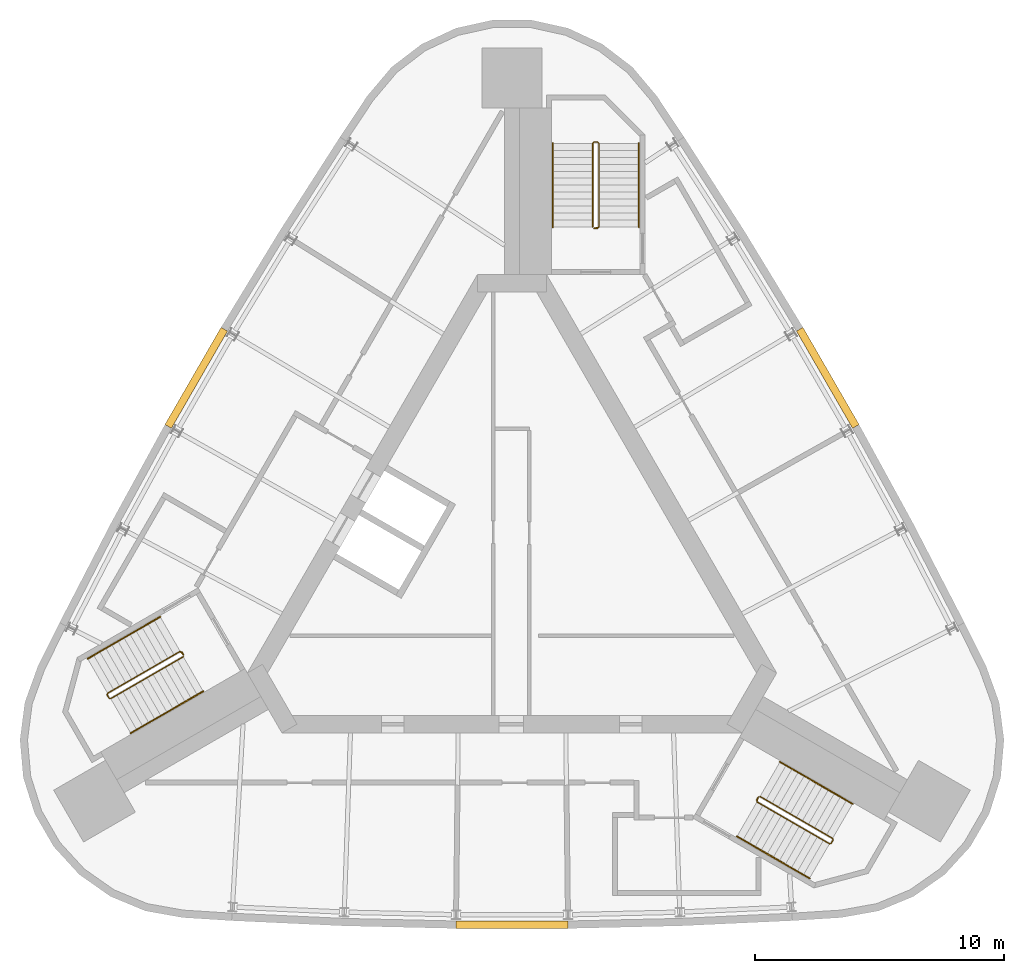
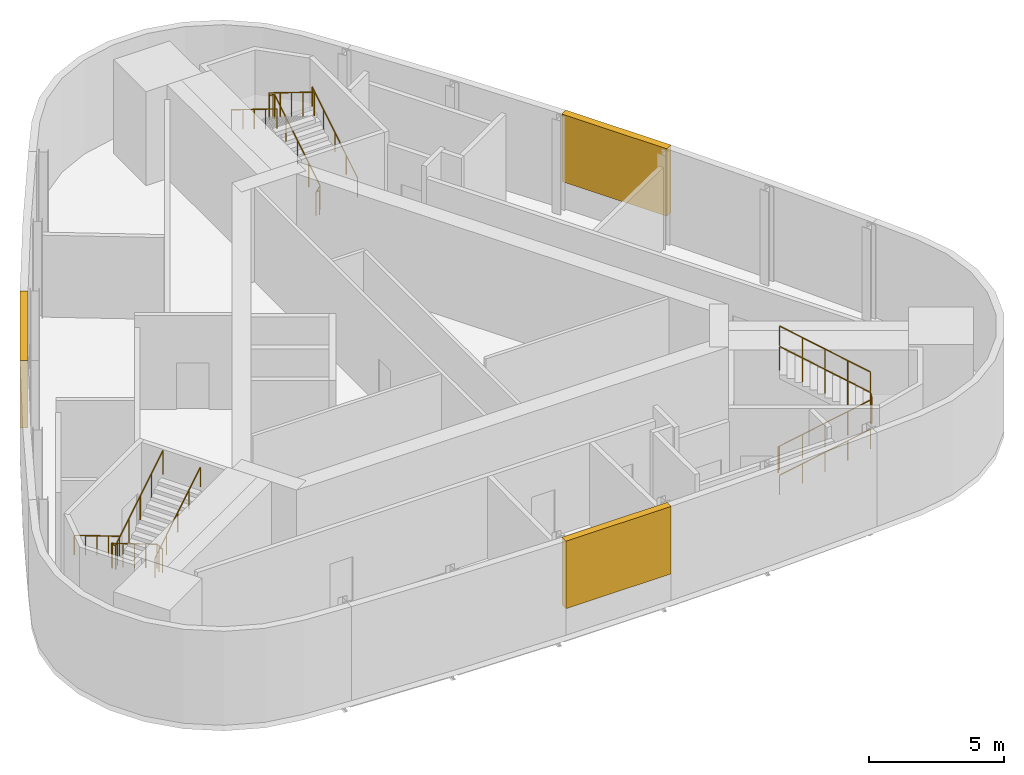
# One storey, part 7 of 7: 9 railings, 3 shading devices.
"""IFC4 building model written with IfcOpenShell, lengths in metres."""

from ifc_helpers import new_model, si_unit, direction, frame, origin, origin_2d, place, context, subcontext, project, spatial, polyline, circle, outline, extrude, material, type_object, element, save


model = new_model("IFC4")

# Units and contexts
model_context = context("Model", 3, precision=1e-05, world=origin(), true_north=direction((0.0, 1.0)))
body_context = subcontext(model_context, "Body", "Model", "MODEL_VIEW")
ifc_project = project(units=[si_unit("LENGTHUNIT", "METRE"), si_unit("AREAUNIT", "SQUARE_METRE"), si_unit("VOLUMEUNIT", "CUBIC_METRE"), si_unit("PLANEANGLEUNIT", "RADIAN"), si_unit("MASSUNIT", "GRAM", prefix="KILO")], contexts=[model_context])

# Site, building, storey
site_placement = place(None, origin())
site = spatial("IfcSite", under=ifc_project, at=site_placement, CompositionType="ELEMENT")
building_placement = place(site_placement, origin())
building = spatial("IfcBuilding", under=site, at=building_placement, Name="Noor Cloister Tower", CompositionType="ELEMENT")
storey_placement = place(building_placement, frame((0.0, 0.0, 284.10009765625)))
storey = spatial("IfcBuildingStorey", under=building, at=storey_placement, Name="L72", CompositionType="ELEMENT", Elevation=284.10009765625)

# Shading devices
ifc_material_1 = material(Name="Aluminium 6063-T6 anodised", Category="aluminium")
shading_device_type = type_object("IfcShadingDeviceType", Name="LOUVRE crown plant air 40 percent free", PredefinedType="USERDEFINED", material=ifc_material_1)
shading_device_1_placement = place(storey_placement, frame((0.0, 0.0, 1.199951171875)))
element("IfcShadingDevice", 1, at=shading_device_1_placement, inside=storey, type_object=shading_device_type, Name="LOUVRE L72 1", ObjectType="LOUVRE", PredefinedType="USERDEFINED", context=body_context, shape_type="SweptSolid", body=[
    extrude(outline(polyline([(-11.669189453125, 9.335205078125), (-13.919189453125, 5.438232421875), (-13.659423828125, 5.288330078125), (-11.409423828125, 9.185302734375), (-11.669189453125, 9.335205078125)])), origin(), (0.0, 0.0, 1.0), 3.050048828125),
])
shading_device_2_placement = place(storey_placement, frame((0.0, 0.0, 1.199951171875)))
element("IfcShadingDevice", 2, at=shading_device_2_placement, inside=storey, type_object=shading_device_type, Name="LOUVRE L72 2", ObjectType="LOUVRE", PredefinedType="USERDEFINED", context=body_context, shape_type="SweptSolid", body=[
    extrude(outline(polyline([(-2.25, -14.7734375), (2.25, -14.7734375), (2.25, -14.473388671875), (-2.25, -14.473388671875), (-2.25, -14.7734375)])), origin(), (0.0, 0.0, 1.0), 3.050048828125),
])
shading_device_3_placement = place(storey_placement, frame((0.0, 0.0, 1.199951171875)))
element("IfcShadingDevice", 3, at=shading_device_3_placement, inside=storey, type_object=shading_device_type, Name="LOUVRE L72 3", ObjectType="LOUVRE", PredefinedType="USERDEFINED", context=body_context, shape_type="SweptSolid", body=[
    extrude(outline(polyline([(13.919189453125, 5.438232421875), (11.669189453125, 9.335205078125), (11.409423828125, 9.185302734375), (13.659423828125, 5.288330078125), (13.919189453125, 5.438232421875)])), origin(), (0.0, 0.0, 1.0), 3.050048828125),
])

# Railings
ifc_material_2 = material(Name="Stainless steel", Category="steel")
railing_type_1 = type_object("IfcRailingType", Name="Stair guard 1100", PredefinedType="GUARDRAIL", material=ifc_material_2)
railing_1_placement = place(storey_placement, frame((3.435546875, 13.306396484375, 0.0)))
element("IfcRailing", 4, at=railing_1_placement, inside=storey, type_object=railing_type_1, Name="Stair guard ST1 L72", PredefinedType="GUARDRAIL", context=body_context, shape_type="SweptSolid", body=[
    extrude(circle(Radius=0.02392578125, at=origin_2d()), frame((0.0, 0.0, 1.076171875), z_axis=(-1.0, 0.0, 0.0), x_axis=(0.0, -1.0, 0.0)), (0.0, 0.0, 1.0), 0.14990234375),
    extrude(circle(Radius=0.02392578125, at=origin_2d()), frame((-0.14990234375, 0.0, 1.076171875), z_axis=(0.742869136974, 0.185944045274, 0.643094283413), x_axis=(-0.242814311512, 0.970072785993, 0.0)), (0.0, 0.0, 1.0), 0.26904296875),
    extrude(circle(Radius=0.02392578125, at=origin_2d()), frame((0.050048828125, 0.050048828125, 1.2490234375), z_axis=(0.0, 0.850606129759, 0.525803396734), x_axis=(-1.0, 0.0, 0.0)), (0.0, 0.0, 1.0), 3.949951171875),
    extrude(circle(Radius=0.02392578125, at=origin_2d()), frame((0.050048828125, 3.409912109375, 3.326171875), z_axis=(-0.707106781187, 0.707106781187, 0.0), x_axis=(-0.707106781187, -0.707106781187, 0.0)), (0.0, 0.0, 1.0), 0.07080078125),
    extrude(circle(Radius=0.02392578125, at=origin_2d()), frame((0.0, 3.4599609375, 3.326171875), z_axis=(-1.0, 0.0, 0.0), x_axis=(0.0, -1.0, 0.0)), (0.0, 0.0, 1.0), 0.14990234375),
    extrude(circle(Radius=0.02392578125, at=origin_2d()), frame((-0.14990234375, 3.4599609375, 3.326171875), z_axis=(-0.267629722418, -0.267629722418, 0.925607186314), x_axis=(0.707106781187, -0.707106781187, 0.0)), (0.0, 0.0, 1.0), 0.18701171875),
    extrude(circle(Radius=0.02392578125, at=origin_2d()), frame((-0.199951171875, 3.409912109375, 3.4990234375), z_axis=(0.0, -0.850606129759, 0.525803396734), x_axis=(1.0, 0.0, 0.0)), (0.0, 0.0, 1.0), 3.949951171875),
    extrude(circle(Radius=0.02099609375, at=origin_2d()), origin(), (0.0, 0.0, 1.0), 1.052001953125),
    extrude(circle(Radius=0.02099609375, at=origin_2d()), frame((-0.14990234375, 0.0, 0.0)), (0.0, 0.0, 1.0), 1.052001953125),
    extrude(circle(Radius=0.02099609375, at=origin_2d()), frame((0.050048828125, 0.050048828125, 0.173095703125)), (0.0, 0.0, 1.0), 1.052001953125),
    extrude(circle(Radius=0.02099609375, at=origin_2d()), frame((0.050048828125, 0.89013671875, 0.6923828125)), (0.0, 0.0, 1.0), 1.052001953125),
    extrude(circle(Radius=0.02099609375, at=origin_2d()), frame((0.050048828125, 1.72998046875, 1.21142578125)), (0.0, 0.0, 1.0), 1.052001953125),
    extrude(circle(Radius=0.02099609375, at=origin_2d()), frame((0.050048828125, 2.56982421875, 1.730712890625)), (0.0, 0.0, 1.0), 1.052001953125),
    extrude(circle(Radius=0.02099609375, at=origin_2d()), frame((0.050048828125, 3.409912109375, 2.25)), (0.0, 0.0, 1.0), 1.052001953125),
    extrude(circle(Radius=0.02099609375, at=origin_2d()), frame((0.0, 3.4599609375, 2.25)), (0.0, 0.0, 1.0), 1.052001953125),
    extrude(circle(Radius=0.02099609375, at=origin_2d()), frame((-0.14990234375, 3.4599609375, 2.25)), (0.0, 0.0, 1.0), 1.052001953125),
    extrude(circle(Radius=0.02099609375, at=origin_2d()), frame((-0.199951171875, 3.409912109375, 2.423095703125)), (0.0, 0.0, 1.0), 1.052001953125),
    extrude(circle(Radius=0.02099609375, at=origin_2d()), frame((-0.199951171875, 2.56982421875, 2.9423828125)), (0.0, 0.0, 1.0), 1.052001953125),
    extrude(circle(Radius=0.02099609375, at=origin_2d()), frame((-0.199951171875, 1.72998046875, 3.46142578125)), (0.0, 0.0, 1.0), 1.052001953125),
    extrude(circle(Radius=0.02099609375, at=origin_2d()), frame((-0.199951171875, 0.89013671875, 3.980712890625)), (0.0, 0.0, 1.0), 1.052001953125),
    extrude(circle(Radius=0.02099609375, at=origin_2d()), frame((-0.199951171875, 0.050048828125, 4.5)), (0.0, 0.0, 1.0), 1.052001953125),
])
railing_2_placement = place(storey_placement, frame((-13.241455078125, -3.677734375, 0.0)))
element("IfcRailing", 5, at=railing_2_placement, inside=storey, type_object=railing_type_1, Name="Stair guard ST2 L72", PredefinedType="GUARDRAIL", context=body_context, shape_type="SweptSolid", body=[
    extrude(circle(Radius=0.02392578125, at=origin_2d()), frame((0.0, 0.0, 1.076171875), z_axis=(0.499112439033, -0.866537231285, 0.0), x_axis=(0.866537231285, 0.499112439033, 0.0)), (0.0, 0.0, 1.0), 0.150146484375),
    extrude(circle(Radius=0.02392578125, at=origin_2d()), frame((0.074951171875, -0.130126953125, 1.076171875), z_axis=(-0.532384093884, 0.550523245294, 0.643032917485), x_axis=(-0.718850276695, -0.695164929852, 0.0)), (0.0, 0.0, 1.0), 0.269287109375),
    extrude(circle(Radius=0.02392578125, at=origin_2d()), frame((-0.068359375, 0.01806640625, 1.2490234375), z_axis=(-0.736667954249, -0.425288379326, 0.525785240943), x_axis=(0.499976138585, -0.866039179741, 0.0)), (0.0, 0.0, 1.0), 3.9501953125),
    extrude(circle(Radius=0.02392578125, at=origin_2d()), frame((-2.978271484375, -1.661865234375, 3.326171875), z_axis=(-0.258736085224, -0.965948051503, 0.0), x_axis=(0.965948051503, -0.258736085224, 0.0)), (0.0, 0.0, 1.0), 0.07080078125),
    extrude(circle(Radius=0.02392578125, at=origin_2d()), frame((-2.99658203125, -1.730224609375, 3.326171875), z_axis=(0.501036270542, -0.865426285481, 0.0), x_axis=(0.865426285481, 0.501036270542, 0.0)), (0.0, 0.0, 1.0), 0.150146484375),
    extrude(circle(Radius=0.02392578125, at=origin_2d()), frame((-2.92138671875, -1.860107421875, 3.326171875), z_axis=(0.364418931161, -0.097962078269, 0.926068179905), x_axis=(0.259601060869, 0.965715946433, 0.0)), (0.0, 0.0, 1.0), 0.18701171875),
    extrude(circle(Radius=0.02392578125, at=origin_2d()), frame((-2.853271484375, -1.87841796875, 3.4990234375), z_axis=(0.736648589954, 0.42533900462, 0.52577141998), x_axis=(-0.500030632641, 0.866007717299, 0.0)), (0.0, 0.0, 1.0), 3.9501953125),
    extrude(circle(Radius=0.02099609375, at=origin_2d()), origin(), (0.0, 0.0, 1.0), 1.052001953125),
    extrude(circle(Radius=0.02099609375, at=origin_2d()), frame((0.074951171875, -0.130126953125, 0.0)), (0.0, 0.0, 1.0), 1.052001953125),
    extrude(circle(Radius=0.02099609375, at=origin_2d()), frame((-0.068359375, 0.01806640625, 0.173095703125)), (0.0, 0.0, 1.0), 1.052001953125),
    extrude(circle(Radius=0.02099609375, at=origin_2d()), frame((-0.7958984375, -0.40185546875, 0.6923828125)), (0.0, 0.0, 1.0), 1.052001953125),
    extrude(circle(Radius=0.02099609375, at=origin_2d()), frame((-1.5234375, -0.82177734375, 1.21142578125)), (0.0, 0.0, 1.0), 1.052001953125),
    extrude(circle(Radius=0.02099609375, at=origin_2d()), frame((-2.250732421875, -1.241943359375, 1.730712890625)), (0.0, 0.0, 1.0), 1.052001953125),
    extrude(circle(Radius=0.02099609375, at=origin_2d()), frame((-2.978271484375, -1.661865234375, 2.25)), (0.0, 0.0, 1.0), 1.052001953125),
    extrude(circle(Radius=0.02099609375, at=origin_2d()), frame((-2.99658203125, -1.730224609375, 2.25)), (0.0, 0.0, 1.0), 1.052001953125),
    extrude(circle(Radius=0.02099609375, at=origin_2d()), frame((-2.92138671875, -1.860107421875, 2.25)), (0.0, 0.0, 1.0), 1.052001953125),
    extrude(circle(Radius=0.02099609375, at=origin_2d()), frame((-2.853271484375, -1.87841796875, 2.423095703125)), (0.0, 0.0, 1.0), 1.052001953125),
    extrude(circle(Radius=0.02099609375, at=origin_2d()), frame((-2.125732421875, -1.45849609375, 2.9423828125)), (0.0, 0.0, 1.0), 1.052001953125),
    extrude(circle(Radius=0.02099609375, at=origin_2d()), frame((-1.3984375, -1.038330078125, 3.46142578125)), (0.0, 0.0, 1.0), 1.052001953125),
    extrude(circle(Radius=0.02099609375, at=origin_2d()), frame((-0.6708984375, -0.6181640625, 3.980712890625)), (0.0, 0.0, 1.0), 1.052001953125),
    extrude(circle(Radius=0.02099609375, at=origin_2d()), frame((0.056640625, -0.1982421875, 4.5)), (0.0, 0.0, 1.0), 1.052001953125),
])
railing_3_placement = place(storey_placement, frame((9.805908203125, -9.628662109375, 0.0)))
element("IfcRailing", 6, at=railing_3_placement, inside=storey, type_object=railing_type_1, Name="Stair guard ST3 L72", PredefinedType="GUARDRAIL", context=body_context, shape_type="SweptSolid", body=[
    extrude(circle(Radius=0.02392578125, at=origin_2d()), frame((0.0, 0.0, 1.076171875), z_axis=(0.499112439033, 0.866537231285, 0.0), x_axis=(-0.866537231285, 0.499112439033, 0.0)), (0.0, 0.0, 1.0), 0.150146484375),
    extrude(circle(Radius=0.02392578125, at=origin_2d()), frame((0.074951171875, 0.130126953125, 1.076171875), z_axis=(-0.210401176497, -0.736404117741, 0.642993250589), x_axis=(0.961523947641, -0.274721127897, 0.0)), (0.0, 0.0, 1.0), 0.269287109375),
    extrude(circle(Radius=0.02392578125, at=origin_2d()), frame((0.018310546875, -0.068115234375, 1.2490234375), z_axis=(0.736648589954, -0.42533900462, 0.52577141998), x_axis=(0.500030632641, 0.866007717299, 0.0)), (0.0, 0.0, 1.0), 3.9501953125),
    extrude(circle(Radius=0.02392578125, at=origin_2d()), frame((2.92822265625, -1.748291015625, 3.326171875), z_axis=(0.965715946433, 0.259601060869, 0.0), x_axis=(-0.259601060869, 0.965715946433, 0.0)), (0.0, 0.0, 1.0), 0.070556640625),
    extrude(circle(Radius=0.02392578125, at=origin_2d()), frame((2.996337890625, -1.72998046875, 3.326171875), z_axis=(0.499816412211, 0.866131372301, 0.0), x_axis=(-0.866131372301, 0.499816412211, 0.0)), (0.0, 0.0, 1.0), 0.14990234375),
    extrude(circle(Radius=0.02392578125, at=origin_2d()), frame((3.0712890625, -1.60009765625, 3.326171875), z_axis=(-0.096622130353, 0.365597249983, 0.925744465136), x_axis=(-0.966805641264, -0.255512919477, 0.0)), (0.0, 0.0, 1.0), 0.18701171875),
    extrude(circle(Radius=0.02392578125, at=origin_2d()), frame((3.05322265625, -1.53173828125, 3.4990234375), z_axis=(-0.736667954249, 0.425288379326, 0.525785240943), x_axis=(-0.499976138585, -0.866039179741, 0.0)), (0.0, 0.0, 1.0), 3.9501953125),
    extrude(circle(Radius=0.02099609375, at=origin_2d()), origin(), (0.0, 0.0, 1.0), 1.052001953125),
    extrude(circle(Radius=0.02099609375, at=origin_2d()), frame((0.074951171875, 0.130126953125, 0.0)), (0.0, 0.0, 1.0), 1.052001953125),
    extrude(circle(Radius=0.02099609375, at=origin_2d()), frame((0.018310546875, -0.068115234375, 0.173095703125)), (0.0, 0.0, 1.0), 1.052001953125),
    extrude(circle(Radius=0.02099609375, at=origin_2d()), frame((0.745849609375, -0.48828125, 0.6923828125)), (0.0, 0.0, 1.0), 1.052001953125),
    extrude(circle(Radius=0.02099609375, at=origin_2d()), frame((1.47314453125, -0.908203125, 1.21142578125)), (0.0, 0.0, 1.0), 1.052001953125),
    extrude(circle(Radius=0.02099609375, at=origin_2d()), frame((2.20068359375, -1.328125, 1.730712890625)), (0.0, 0.0, 1.0), 1.052001953125),
    extrude(circle(Radius=0.02099609375, at=origin_2d()), frame((2.92822265625, -1.748291015625, 2.25)), (0.0, 0.0, 1.0), 1.052001953125),
    extrude(circle(Radius=0.02099609375, at=origin_2d()), frame((2.996337890625, -1.72998046875, 2.25)), (0.0, 0.0, 1.0), 1.052001953125),
    extrude(circle(Radius=0.02099609375, at=origin_2d()), frame((3.0712890625, -1.60009765625, 2.25)), (0.0, 0.0, 1.0), 1.052001953125),
    extrude(circle(Radius=0.02099609375, at=origin_2d()), frame((3.05322265625, -1.53173828125, 2.423095703125)), (0.0, 0.0, 1.0), 1.052001953125),
    extrude(circle(Radius=0.02099609375, at=origin_2d()), frame((2.32568359375, -1.11181640625, 2.9423828125)), (0.0, 0.0, 1.0), 1.052001953125),
    extrude(circle(Radius=0.02099609375, at=origin_2d()), frame((1.59814453125, -0.69189453125, 3.46142578125)), (0.0, 0.0, 1.0), 1.052001953125),
    extrude(circle(Radius=0.02099609375, at=origin_2d()), frame((0.870849609375, -0.271728515625, 3.980712890625)), (0.0, 0.0, 1.0), 1.052001953125),
    extrude(circle(Radius=0.02099609375, at=origin_2d()), frame((0.143310546875, 0.148193359375, 4.5)), (0.0, 0.0, 1.0), 1.052001953125),
])
ifc_material_3 = material(Name="Stainless steel", Category="steel")
railing_type_2 = type_object("IfcRailingType", Name="Stair handrail 900", PredefinedType="HANDRAIL", material=ifc_material_3)
railing_4_placement = place(storey_placement, frame((5.085693359375, 13.3564453125, 0.173095703125)))
element("IfcRailing", 7, at=railing_4_placement, inside=storey, type_object=railing_type_2, Name="Stair handrail ST1 L72 1", PredefinedType="HANDRAIL", context=body_context, shape_type="SweptSolid", body=[
    extrude(circle(Radius=0.02392578125, at=origin_2d()), frame((0.0, 0.0, 0.8759765625), z_axis=(0.0, 0.850606129759, 0.525803396734), x_axis=(-1.0, 0.0, 0.0)), (0.0, 0.0, 1.0), 3.949951171875),
    extrude(circle(Radius=0.02099609375, at=origin_2d()), origin(), (0.0, 0.0, 1.0), 0.851806640625),
    extrude(circle(Radius=0.02099609375, at=origin_2d()), frame((0.0, 0.83984375, 0.519287109375)), (0.0, 0.0, 1.0), 0.851806640625),
    extrude(circle(Radius=0.02099609375, at=origin_2d()), frame((0.0, 1.679931640625, 1.03857421875)), (0.0, 0.0, 1.0), 0.851806640625),
    extrude(circle(Radius=0.02099609375, at=origin_2d()), frame((0.0, 2.52001953125, 1.5576171875)), (0.0, 0.0, 1.0), 0.851806640625),
    extrude(circle(Radius=0.02099609375, at=origin_2d()), frame((0.0, 3.35986328125, 2.076904296875)), (0.0, 0.0, 1.0), 0.851806640625),
])
railing_5_placement = place(storey_placement, frame((1.6357421875, 16.71630859375, 2.423095703125)))
element("IfcRailing", 8, at=railing_5_placement, inside=storey, type_object=railing_type_2, Name="Stair handrail ST1 L72 2", PredefinedType="HANDRAIL", context=body_context, shape_type="SweptSolid", body=[
    extrude(circle(Radius=0.02392578125, at=origin_2d()), frame((0.0, 0.0, 0.8759765625), z_axis=(0.0, -0.850606129759, 0.525803396734), x_axis=(1.0, 0.0, 0.0)), (0.0, 0.0, 1.0), 3.949951171875),
    extrude(circle(Radius=0.02099609375, at=origin_2d()), origin(), (0.0, 0.0, 1.0), 0.851806640625),
    extrude(circle(Radius=0.02099609375, at=origin_2d()), frame((0.0, -0.83984375, 0.519287109375)), (0.0, 0.0, 1.0), 0.851806640625),
    extrude(circle(Radius=0.02099609375, at=origin_2d()), frame((0.0, -1.679931640625, 1.03857421875)), (0.0, 0.0, 1.0), 0.851806640625),
    extrude(circle(Radius=0.02099609375, at=origin_2d()), frame((0.0, -2.52001953125, 1.5576171875)), (0.0, 0.0, 1.0), 0.851806640625),
    extrude(circle(Radius=0.02099609375, at=origin_2d()), frame((0.0, -3.35986328125, 2.076904296875)), (0.0, 0.0, 1.0), 0.851806640625),
])
railing_6_placement = place(storey_placement, frame((-14.10986328125, -2.27392578125, 0.173095703125)))
element("IfcRailing", 9, at=railing_6_placement, inside=storey, type_object=railing_type_2, Name="Stair handrail ST2 L72 1", PredefinedType="HANDRAIL", context=body_context, shape_type="SweptSolid", body=[
    extrude(circle(Radius=0.02392578125, at=origin_2d()), frame((0.0, 0.0, 0.8759765625), z_axis=(-0.736639687092, -0.425307743487, 0.525809180911), x_axis=(0.500007602105, -0.866021014662, 0.0)), (0.0, 0.0, 1.0), 3.949951171875),
    extrude(circle(Radius=0.02099609375, at=origin_2d()), origin(), (0.0, 0.0, 1.0), 0.851806640625),
    extrude(circle(Radius=0.02099609375, at=origin_2d()), frame((-0.7275390625, -0.419921875, 0.519287109375)), (0.0, 0.0, 1.0), 0.851806640625),
    extrude(circle(Radius=0.02099609375, at=origin_2d()), frame((-1.454833984375, -0.83984375, 1.03857421875)), (0.0, 0.0, 1.0), 0.851806640625),
    extrude(circle(Radius=0.02099609375, at=origin_2d()), frame((-2.18212890625, -1.260009765625, 1.5576171875)), (0.0, 0.0, 1.0), 0.851806640625),
    extrude(circle(Radius=0.02099609375, at=origin_2d()), frame((-2.90966796875, -1.679931640625, 2.076904296875)), (0.0, 0.0, 1.0), 0.851806640625),
])
railing_7_placement = place(storey_placement, frame((-15.294677734375, -6.941650390625, 2.423095703125)))
element("IfcRailing", 10, at=railing_7_placement, inside=storey, type_object=railing_type_2, Name="Stair handrail ST2 L72 2", PredefinedType="HANDRAIL", context=body_context, shape_type="SweptSolid", body=[
    extrude(circle(Radius=0.02392578125, at=origin_2d()), frame((0.0, 0.0, 0.8759765625), z_axis=(0.736667954249, 0.425288379326, 0.525785240943), x_axis=(-0.499976138585, 0.866039179741, 0.0)), (0.0, 0.0, 1.0), 3.9501953125),
    extrude(circle(Radius=0.02099609375, at=origin_2d()), origin(), (0.0, 0.0, 1.0), 0.851806640625),
    extrude(circle(Radius=0.02099609375, at=origin_2d()), frame((0.7275390625, 0.419921875, 0.519287109375)), (0.0, 0.0, 1.0), 0.851806640625),
    extrude(circle(Radius=0.02099609375, at=origin_2d()), frame((1.455078125, 0.83984375, 1.03857421875)), (0.0, 0.0, 1.0), 0.851806640625),
    extrude(circle(Radius=0.02099609375, at=origin_2d()), frame((2.182373046875, 1.260009765625, 1.5576171875)), (0.0, 0.0, 1.0), 0.851806640625),
    extrude(circle(Radius=0.02099609375, at=origin_2d()), frame((2.909912109375, 1.679931640625, 2.076904296875)), (0.0, 0.0, 1.0), 0.851806640625),
])
railing_8_placement = place(storey_placement, frame((9.024169921875, -11.08251953125, 0.173095703125)))
element("IfcRailing", 11, at=railing_8_placement, inside=storey, type_object=railing_type_2, Name="Stair handrail ST3 L72 1", PredefinedType="HANDRAIL", context=body_context, shape_type="SweptSolid", body=[
    extrude(circle(Radius=0.02392578125, at=origin_2d()), frame((0.0, 0.0, 0.8759765625), z_axis=(0.736667954249, -0.425288379326, 0.525785240943), x_axis=(0.499976138585, 0.866039179741, 0.0)), (0.0, 0.0, 1.0), 3.9501953125),
    extrude(circle(Radius=0.02099609375, at=origin_2d()), origin(), (0.0, 0.0, 1.0), 0.851806640625),
    extrude(circle(Radius=0.02099609375, at=origin_2d()), frame((0.7275390625, -0.419921875, 0.519287109375)), (0.0, 0.0, 1.0), 0.851806640625),
    extrude(circle(Radius=0.02099609375, at=origin_2d()), frame((1.455078125, -0.83984375, 1.03857421875)), (0.0, 0.0, 1.0), 0.851806640625),
    extrude(circle(Radius=0.02099609375, at=origin_2d()), frame((2.182373046875, -1.260009765625, 1.5576171875)), (0.0, 0.0, 1.0), 0.851806640625),
    extrude(circle(Radius=0.02099609375, at=origin_2d()), frame((2.909912109375, -1.679931640625, 2.076904296875)), (0.0, 0.0, 1.0), 0.851806640625),
])
railing_9_placement = place(storey_placement, frame((13.658935546875, -9.774658203125, 2.423095703125)))
element("IfcRailing", 12, at=railing_9_placement, inside=storey, type_object=railing_type_2, Name="Stair handrail ST3 L72 2", PredefinedType="HANDRAIL", context=body_context, shape_type="SweptSolid", body=[
    extrude(circle(Radius=0.02392578125, at=origin_2d()), frame((0.0, 0.0, 0.8759765625), z_axis=(-0.736639687092, 0.425307743487, 0.525809180911), x_axis=(-0.500007602105, -0.866021014662, 0.0)), (0.0, 0.0, 1.0), 3.949951171875),
    extrude(circle(Radius=0.02099609375, at=origin_2d()), origin(), (0.0, 0.0, 1.0), 0.851806640625),
    extrude(circle(Radius=0.02099609375, at=origin_2d()), frame((-0.7275390625, 0.419921875, 0.519287109375)), (0.0, 0.0, 1.0), 0.851806640625),
    extrude(circle(Radius=0.02099609375, at=origin_2d()), frame((-1.454833984375, 0.83984375, 1.03857421875)), (0.0, 0.0, 1.0), 0.851806640625),
    extrude(circle(Radius=0.02099609375, at=origin_2d()), frame((-2.18212890625, 1.260009765625, 1.5576171875)), (0.0, 0.0, 1.0), 0.851806640625),
    extrude(circle(Radius=0.02099609375, at=origin_2d()), frame((-2.90966796875, 1.679931640625, 2.076904296875)), (0.0, 0.0, 1.0), 0.851806640625),
])

save(model, "model.ifc")
